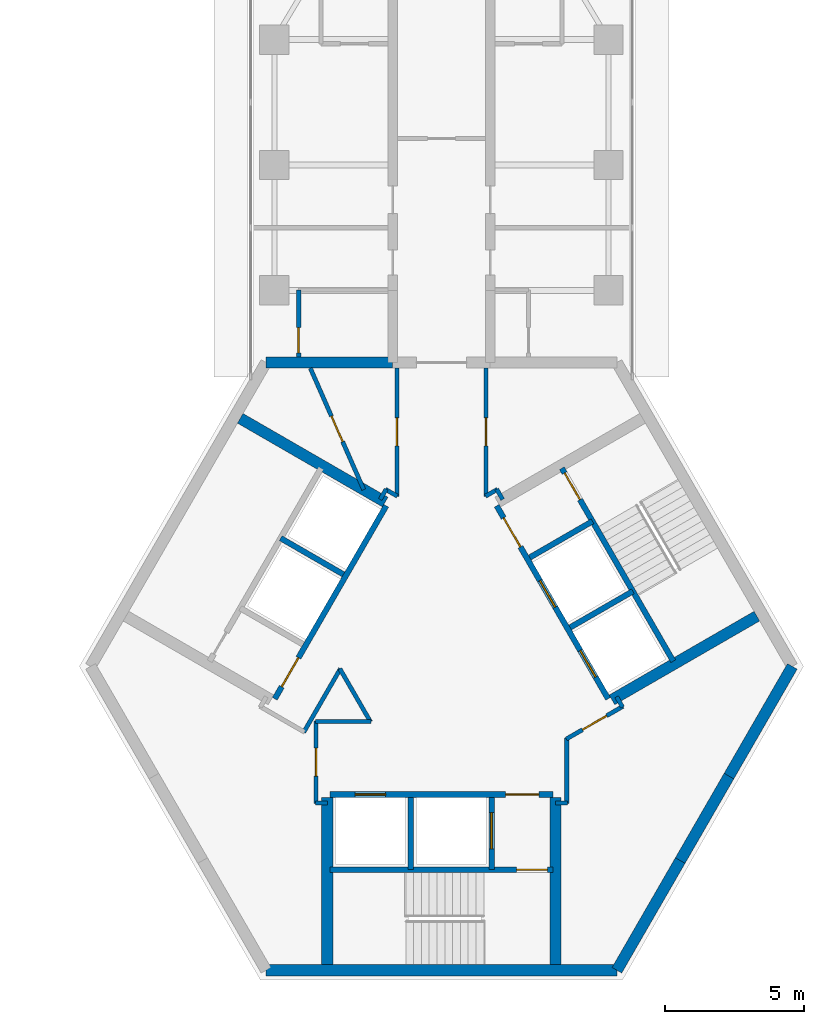
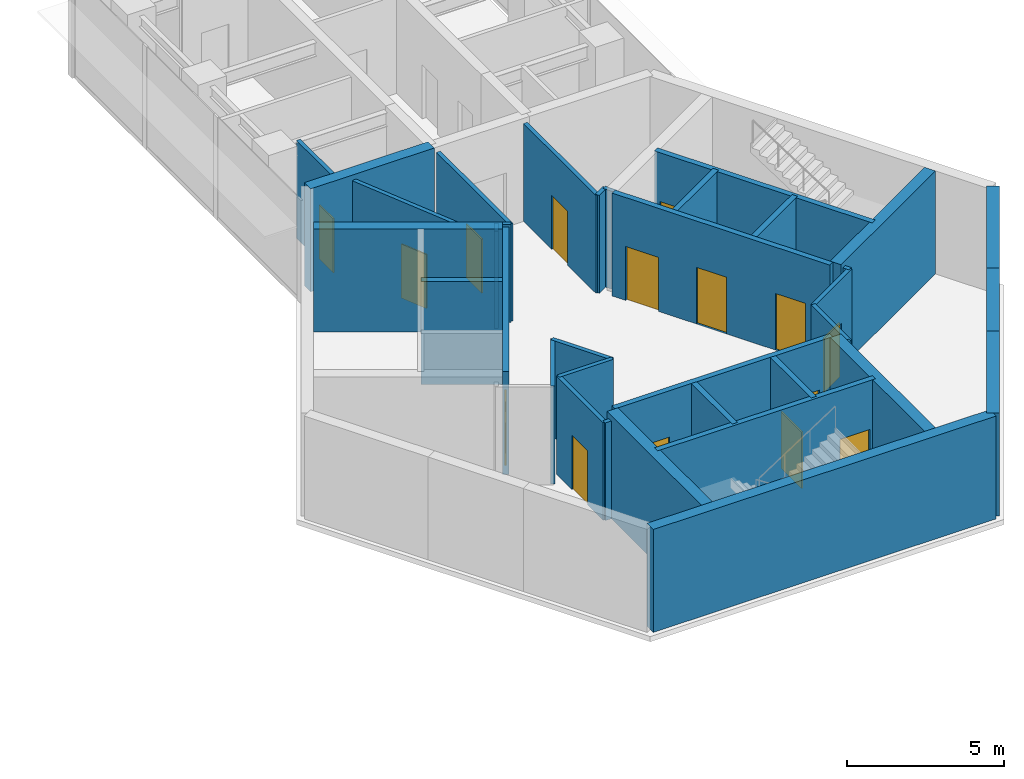
# One storey, part 8 of 11: 36 walls, 15 doors, 15 openings.
"""IFC4 building model written with IfcOpenShell, lengths in metres."""

from ifc_helpers import new_model, si_unit, direction, frame, frame_2d, origin, place, context, subcontext, project, spatial, rectangle, extrude, material, layer, layer_set, type_object, element, fill, save


model = new_model("IFC4")

# Units and contexts
model_context = context("Model", 3, precision=1e-05, world=origin(), true_north=direction((0.0, 1.0)))
body_context = subcontext(model_context, "Body", "Model", "MODEL_VIEW")
ifc_project = project(units=[si_unit("LENGTHUNIT", "METRE"), si_unit("AREAUNIT", "SQUARE_METRE"), si_unit("VOLUMEUNIT", "CUBIC_METRE"), si_unit("PLANEANGLEUNIT", "RADIAN"), si_unit("MASSUNIT", "GRAM", prefix="KILO")], contexts=[model_context])

# Site, building, storey
site_placement = place(None, origin())
site = spatial("IfcSite", under=ifc_project, at=site_placement, CompositionType="ELEMENT")
building_placement = place(site_placement, origin())
building = spatial("IfcBuilding", under=site, at=building_placement, Name="Upepo Twin Towers", CompositionType="ELEMENT")
storey_placement = place(building_placement, frame((0.0, 0.0, 247.5)))
storey = spatial("IfcBuildingStorey", under=building, at=storey_placement, Name="L60", CompositionType="ELEMENT", Elevation=247.5)

# Walls
ifc_material_1 = material(Name="Concrete C60/75", Category="concrete")
ifc_layer_1 = layer(ifc_material_1, 0.39990234375)
ifc_layer_set_1 = layer_set([ifc_layer_1], Name="Concrete C60/75")
wall_type_1 = type_object("IfcWallType", Name="Core wall 400 RC", PredefinedType="SHEAR", material=ifc_layer_set_1)
wall_1_placement = place(storey_placement, frame((56.75, -7.091552734375, 0.0), z_axis=(0.0, 0.0, 1.0), x_axis=(-1.0, 0.0, 0.0)))
element("IfcWall", 1, at=wall_1_placement, inside=storey, type_object=wall_type_1, Name="T2 core wall 000 L", PredefinedType="SHEAR", context=body_context, shape_type="SweptSolid", body=[
    extrude(rectangle(XDim=4.5478515625, YDim=0.39990234375, at=frame_2d((2.27392578125, 0.0))), origin(), (0.0, 0.0, 1.0), 4.0),
])
wall_2_placement = place(storey_placement, frame((52.2021484375, -28.908447265625, 0.0), z_axis=(0.0, 0.0, 1.0), x_axis=(1.0, 0.0, 0.0)))
element("IfcWall", 2, at=wall_2_placement, inside=storey, type_object=wall_type_1, Name="T2 core wall 180", PredefinedType="SHEAR", context=body_context, shape_type="SweptSolid", body=[
    extrude(rectangle(XDim=12.595703125, YDim=0.39990234375, at=frame_2d((6.2978515625, 0.0))), origin(), (0.0, 0.0, 1.0), 4.0),
])
wall_3_placement = place(storey_placement, frame((64.7978515625, -28.908447265625, 0.0), z_axis=(0.0, 0.0, 1.0), x_axis=(0.499984222037, 0.866034513004, 0.0)))
element("IfcWall", 3, at=wall_3_placement, inside=storey, type_object=wall_type_1, Name="T2 core wall 240 R", PredefinedType="SHEAR", context=body_context, shape_type="SweptSolid", body=[
    extrude(rectangle(XDim=4.548095703125, YDim=0.39990234375, at=frame_2d((2.27392578125, 0.0))), origin(), (0.0, 0.0, 1.0), 4.0),
])
wall_4_placement = place(storey_placement, frame((67.07177734375, -24.9697265625, 0.0), z_axis=(0.0, 0.0, 1.0), x_axis=(0.500010275428, 0.866019471182, 0.0)))
element("IfcWall", 4, at=wall_4_placement, inside=storey, type_object=wall_type_1, Name="T2 core wall 240", PredefinedType="SHEAR", context=body_context, shape_type="SweptSolid", body=[
    extrude(rectangle(XDim=3.5, YDim=0.39990234375, at=frame_2d((1.75, 0.0))), origin(), (0.0, 0.0, 1.0), 4.0),
])
wall_5_placement = place(storey_placement, frame((68.82177734375, -21.938720703125, 0.0), z_axis=(0.0, 0.0, 1.0), x_axis=(0.500024481964, 0.866011268655, 0.0)))
element("IfcWall", 5, at=wall_5_placement, inside=storey, type_object=wall_type_1, Name="T2 core wall 240 L", PredefinedType="SHEAR", context=body_context, shape_type="SweptSolid", body=[
    extrude(rectangle(XDim=4.548095703125, YDim=0.39990234375, at=frame_2d((2.27392578125, 0.0))), origin(), (0.0, 0.0, 1.0), 4.0),
])

# Wall, opening, door
ifc_material_2 = material(Name="Concrete C40/50", Category="concrete")
ifc_layer_2 = layer(ifc_material_2, 0.199951171875)
ifc_layer_set_2 = layer_set([ifc_layer_2], Name="Concrete C40/50")
wall_type_2 = type_object("IfcWallType", Name="Shaft wall 200 RC", PredefinedType="SHEAR", material=ifc_layer_set_2)
wall_6_placement = place(storey_placement, frame((56.516357421875, -12.23583984375, 0.0), z_axis=(0.0, 0.0, 1.0), x_axis=(-0.49999894854, -0.866026010844, 0.0)))
wall_6 = element("IfcWall", 6, at=wall_6_placement, inside=storey, type_object=wall_type_2, Name="T2 core W60 front wall", PredefinedType="SHEAR", context=body_context, shape_type="SweptSolid", body=[
    extrude(rectangle(XDim=8.0, YDim=0.199951171875, at=frame_2d((4.0, 0.0))), origin(), (0.0, 0.0, 1.0), 4.0),
])
opening_1_placement = place(wall_6_placement, frame((6.300048828125, 0.0, 0.0)))
opening_1 = element("IfcOpeningElement", 7, at=opening_1_placement, cuts=wall_6, Name="Opening D4", PredefinedType="OPENING", context=body_context, shape_type="SweptSolid", body=[
    extrude(rectangle(XDim=1.199951171875, YDim=2.10009765625, at=frame_2d((0.60009765625, 1.050048828125))), frame((0.0, 0.10986328125, 0.0), z_axis=(0.0, -1.0, 0.0), x_axis=(1.0, 0.0, 0.0)), (0.0, 0.0, 1.0), 0.219970703125),
])
ifc_material_3 = material(Name="Timber doorset", Category="wood")
door_type_1 = type_object("IfcDoorType", Name="Lobby door 1200 FD60", OperationType="SINGLE_SWING_LEFT", PredefinedType="DOOR", material=ifc_material_3)
door_1_placement = place(opening_1_placement, origin())
door_1 = element("IfcDoor", 8, at=door_1_placement, inside=storey, type_object=door_type_1, Name="T2 L60 W60 lobby door", OperationType="SINGLE_SWING_RIGHT", OverallHeight=2.10009765625, OverallWidth=1.199951171875, PredefinedType="DOOR", context=body_context, shape_type="SweptSolid", body=[
    extrude(rectangle(XDim=1.199951171875, YDim=2.10009765625, at=frame_2d((0.60009765625, 1.050048828125))), frame((0.0, 0.02490234375, 0.0), z_axis=(0.0, -1.0, 0.0), x_axis=(1.0, 0.0, 0.0)), (0.0, 0.0, 1.0), 0.050048828125),
])
fill(opening_1, door_1)

# Wall
wall_7_placement = place(storey_placement, frame((54.979736328125, -14.697265625, 0.0), z_axis=(0.0, 0.0, 1.0), x_axis=(-0.866062058628, 0.499936506574, 0.0)))
element("IfcWall", 9, at=wall_7_placement, inside=storey, type_object=wall_type_2, Name="T2 core W60 shaft divider", PredefinedType="SHEAR", context=body_context, shape_type="SweptSolid", body=[
    extrude(rectangle(XDim=2.599853515625, YDim=0.199951171875, at=frame_2d((1.2998046875, 0.0))), origin(), (0.0, 0.0, 1.0), 4.0),
])

# Wall, openings, doors
wall_8_placement = place(storey_placement, frame((54.5, -22.60009765625, 0.0), z_axis=(0.0, 0.0, 1.0), x_axis=(1.0, 0.0, 0.0)))
wall_8 = element("IfcWall", 10, at=wall_8_placement, inside=storey, type_object=wall_type_2, Name="T2 core W180 front wall", PredefinedType="SHEAR", context=body_context, shape_type="SweptSolid", body=[
    extrude(rectangle(XDim=8.0, YDim=0.199951171875, at=frame_2d((4.0, 0.0))), origin(), (0.0, 0.0, 1.0), 4.0),
])
opening_2_placement = place(wall_8_placement, frame((6.300048828125, 0.0, 0.0)))
opening_2 = element("IfcOpeningElement", 11, at=opening_2_placement, cuts=wall_8, Name="Opening D4", PredefinedType="OPENING", context=body_context, shape_type="SweptSolid", body=[
    extrude(rectangle(XDim=1.199951171875, YDim=2.10009765625, at=frame_2d((0.60009765625, 1.050048828125))), frame((0.0, 0.10986328125, 0.0), z_axis=(0.0, -1.0, 0.0), x_axis=(1.0, 0.0, 0.0)), (0.0, 0.0, 1.0), 0.219970703125),
])
opening_3_placement = place(wall_8_placement, frame((0.89990234375, 0.0, 0.0)))
opening_3 = element("IfcOpeningElement", 12, at=opening_3_placement, cuts=wall_8, Name="Opening LD1", PredefinedType="OPENING", context=body_context, shape_type="SweptSolid", body=[
    extrude(rectangle(XDim=1.10009765625, YDim=2.199951171875, at=frame_2d((0.550048828125, 1.10009765625))), frame((0.0, 0.10986328125, 0.0), z_axis=(0.0, -1.0, 0.0), x_axis=(1.0, 0.0, 0.0)), (0.0, 0.0, 1.0), 0.219970703125),
])
ifc_material_4 = material(Name="Steel doorset", Category="steel")
door_type_2 = type_object("IfcDoorType", Name="Lift landing door 1100", OperationType="DOUBLE_DOOR_SLIDING", PredefinedType="DOOR", material=ifc_material_4)
door_2_placement = place(opening_3_placement, origin())
door_2 = element("IfcDoor", 13, at=door_2_placement, inside=storey, type_object=door_type_2, Name="T2 L60 lift SV1 landing door", OperationType="DOUBLE_DOOR_SLIDING", OverallHeight=2.199951171875, OverallWidth=1.10009765625, PredefinedType="DOOR", context=body_context, shape_type="SweptSolid", body=[
    extrude(rectangle(XDim=1.10009765625, YDim=2.199951171875, at=frame_2d((0.550048828125, 1.10009765625))), frame((0.0, 0.02490234375, 0.0), z_axis=(0.0, -1.0, 0.0), x_axis=(1.0, 0.0, 0.0)), (0.0, 0.0, 1.0), 0.050048828125),
])
fill(opening_3, door_2)
door_3_placement = place(opening_2_placement, origin())
door_3 = element("IfcDoor", 14, at=door_3_placement, inside=storey, type_object=door_type_1, Name="T2 L60 W180 lobby door", OperationType="SINGLE_SWING_RIGHT", OverallHeight=2.10009765625, OverallWidth=1.199951171875, PredefinedType="DOOR", context=body_context, shape_type="SweptSolid", body=[
    extrude(rectangle(XDim=1.199951171875, YDim=2.10009765625, at=frame_2d((0.60009765625, 1.050048828125))), frame((0.0, 0.02490234375, 0.0), z_axis=(0.0, -1.0, 0.0), x_axis=(1.0, 0.0, 0.0)), (0.0, 0.0, 1.0), 0.050048828125),
])
fill(opening_2, door_3)

# Wall
wall_9_placement = place(storey_placement, frame((57.39990234375, -22.699951171875, 0.0), z_axis=(0.0, 0.0, 1.0), x_axis=(0.0, -1.0, 0.0)))
element("IfcWall", 15, at=wall_9_placement, inside=storey, type_object=wall_type_2, Name="T2 core W180 shaft divider", PredefinedType="SHEAR", context=body_context, shape_type="SweptSolid", body=[
    extrude(rectangle(XDim=2.60009765625, YDim=0.199951171875, at=frame_2d((1.300048828125, 0.0))), origin(), (0.0, 0.0, 1.0), 4.0),
])

# Wall, opening, door
wall_10_placement = place(storey_placement, frame((60.300048828125, -22.699951171875, 0.0), z_axis=(0.0, 0.0, 1.0), x_axis=(0.0, -1.0, 0.0)))
wall_10 = element("IfcWall", 16, at=wall_10_placement, inside=storey, type_object=wall_type_2, Name="T2 core W180 lobby wall", PredefinedType="SHEAR", context=body_context, shape_type="SweptSolid", body=[
    extrude(rectangle(XDim=2.60009765625, YDim=0.199951171875, at=frame_2d((1.300048828125, 0.0))), origin(), (0.0, 0.0, 1.0), 4.0),
])
opening_4_placement = place(wall_10_placement, frame((0.550048828125, 0.0, 0.0)))
opening_4 = element("IfcOpeningElement", 17, at=opening_4_placement, cuts=wall_10, Name="Opening LD2", PredefinedType="OPENING", context=body_context, shape_type="SweptSolid", body=[
    extrude(rectangle(XDim=1.300048828125, YDim=2.199951171875, at=frame_2d((0.64990234375, 1.10009765625))), frame((0.0, 0.10986328125, 0.0), z_axis=(0.0, -1.0, 0.0), x_axis=(1.0, 0.0, 0.0)), (0.0, 0.0, 1.0), 0.219970703125),
])
ifc_material_5 = material(Name="Steel doorset", Category="steel")
door_type_3 = type_object("IfcDoorType", Name="Firefighting lift landing door 1300", OperationType="DOUBLE_DOOR_SLIDING", PredefinedType="DOOR", material=ifc_material_5)
door_4_placement = place(opening_4_placement, origin())
door_4 = element("IfcDoor", 18, at=door_4_placement, inside=storey, type_object=door_type_3, Name="T2 L60 firefighting lift landing door", OperationType="DOUBLE_DOOR_SLIDING", OverallHeight=2.199951171875, OverallWidth=1.300048828125, PredefinedType="DOOR", context=body_context, shape_type="SweptSolid", body=[
    extrude(rectangle(XDim=1.300048828125, YDim=2.199951171875, at=frame_2d((0.64990234375, 1.10009765625))), frame((0.0, 0.02490234375, 0.0), z_axis=(0.0, -1.0, 0.0), x_axis=(1.0, 0.0, 0.0)), (0.0, 0.0, 1.0), 0.050048828125),
])
fill(opening_4, door_4)

wall_11_placement = place(storey_placement, frame((54.5, -25.300048828125, 0.0), z_axis=(0.0, 0.0, 1.0), x_axis=(1.0, 0.0, 0.0)))
wall_11 = element("IfcWall", 19, at=wall_11_placement, inside=storey, type_object=wall_type_2, Name="T2 core W180 stair wall", PredefinedType="SHEAR", context=body_context, shape_type="SweptSolid", body=[
    extrude(rectangle(XDim=8.0, YDim=0.199951171875, at=frame_2d((4.0, 0.0))), origin(), (0.0, 0.0, 1.0), 4.0),
])
opening_5_placement = place(wall_11_placement, frame((6.699951171875, 0.0, 0.0)))
opening_5 = element("IfcOpeningElement", 20, at=opening_5_placement, cuts=wall_11, Name="Opening D3", PredefinedType="OPENING", context=body_context, shape_type="SweptSolid", body=[
    extrude(rectangle(XDim=1.10009765625, YDim=2.10009765625, at=frame_2d((0.550048828125, 1.050048828125))), frame((0.0, 0.10986328125, 0.0), z_axis=(0.0, -1.0, 0.0), x_axis=(1.0, 0.0, 0.0)), (0.0, 0.0, 1.0), 0.219970703125),
])
ifc_material_6 = material(Name="Timber doorset", Category="wood")
door_type_4 = type_object("IfcDoorType", Name="Stair door 1100 FD60", OperationType="SINGLE_SWING_LEFT", PredefinedType="DOOR", material=ifc_material_6)
door_5_placement = place(opening_5_placement, origin())
door_5 = element("IfcDoor", 21, at=door_5_placement, inside=storey, type_object=door_type_4, Name="T2 L60 stair door", OperationType="SINGLE_SWING_RIGHT", OverallHeight=2.10009765625, OverallWidth=1.10009765625, PredefinedType="DOOR", context=body_context, shape_type="SweptSolid", body=[
    extrude(rectangle(XDim=1.10009765625, YDim=2.10009765625, at=frame_2d((0.550048828125, 1.050048828125))), frame((0.0, 0.02490234375, 0.0), z_axis=(0.0, -1.0, 0.0), x_axis=(1.0, 0.0, 0.0)), (0.0, 0.0, 1.0), 0.050048828125),
])
fill(opening_5, door_5)

# Wall, openings, doors
wall_12_placement = place(storey_placement, frame((64.483642578125, -19.1640625, 0.0), z_axis=(0.0, 0.0, 1.0), x_axis=(-0.49999894854, 0.866026010844, 0.0)))
wall_12 = element("IfcWall", 22, at=wall_12_placement, inside=storey, type_object=wall_type_2, Name="T2 core W300 front wall", PredefinedType="SHEAR", context=body_context, shape_type="SweptSolid", body=[
    extrude(rectangle(XDim=8.0, YDim=0.199951171875, at=frame_2d((4.0, 0.0))), origin(), (0.0, 0.0, 1.0), 4.0),
])
opening_6_placement = place(wall_12_placement, frame((6.300048828125, 0.0, 0.0)))
opening_6 = element("IfcOpeningElement", 23, at=opening_6_placement, cuts=wall_12, Name="Opening D4", PredefinedType="OPENING", context=body_context, shape_type="SweptSolid", body=[
    extrude(rectangle(XDim=1.199951171875, YDim=2.10009765625, at=frame_2d((0.60009765625, 1.050048828125))), frame((0.0, 0.10986328125, 0.0), z_axis=(0.0, -1.0, 0.0), x_axis=(1.0, 0.0, 0.0)), (0.0, 0.0, 1.0), 0.219970703125),
])
opening_7_placement = place(wall_12_placement, frame((0.89990234375, 0.0, 0.0)))
opening_7 = element("IfcOpeningElement", 24, at=opening_7_placement, cuts=wall_12, Name="Opening LD1", PredefinedType="OPENING", context=body_context, shape_type="SweptSolid", body=[
    extrude(rectangle(XDim=1.10009765625, YDim=2.199951171875, at=frame_2d((0.550048828125, 1.10009765625))), frame((0.0, 0.10986328125, 0.0), z_axis=(0.0, -1.0, 0.0), x_axis=(1.0, 0.0, 0.0)), (0.0, 0.0, 1.0), 0.219970703125),
])
opening_8_placement = place(wall_12_placement, frame((3.800048828125, 0.0, 0.0)))
opening_8 = element("IfcOpeningElement", 25, at=opening_8_placement, cuts=wall_12, Name="Opening LD1", PredefinedType="OPENING", context=body_context, shape_type="SweptSolid", body=[
    extrude(rectangle(XDim=1.10009765625, YDim=2.199951171875, at=frame_2d((0.550048828125, 1.10009765625))), frame((0.0, 0.10986328125, 0.0), z_axis=(0.0, -1.0, 0.0), x_axis=(1.0, 0.0, 0.0)), (0.0, 0.0, 1.0), 0.219970703125),
])
door_6_placement = place(opening_7_placement, origin())
door_6 = element("IfcDoor", 26, at=door_6_placement, inside=storey, type_object=door_type_2, Name="T2 L60 lift TL1 landing door", OperationType="DOUBLE_DOOR_SLIDING", OverallHeight=2.199951171875, OverallWidth=1.10009765625, PredefinedType="DOOR", context=body_context, shape_type="SweptSolid", body=[
    extrude(rectangle(XDim=1.10009765625, YDim=2.199951171875, at=frame_2d((0.550048828125, 1.10009765625))), frame((0.0, 0.02490234375, 0.0), z_axis=(0.0, -1.0, 0.0), x_axis=(1.0, 0.0, 0.0)), (0.0, 0.0, 1.0), 0.050048828125),
])
fill(opening_7, door_6)
door_7_placement = place(opening_8_placement, origin())
door_7 = element("IfcDoor", 27, at=door_7_placement, inside=storey, type_object=door_type_2, Name="T2 L60 lift TL2 landing door", OperationType="DOUBLE_DOOR_SLIDING", OverallHeight=2.199951171875, OverallWidth=1.10009765625, PredefinedType="DOOR", context=body_context, shape_type="SweptSolid", body=[
    extrude(rectangle(XDim=1.10009765625, YDim=2.199951171875, at=frame_2d((0.550048828125, 1.10009765625))), frame((0.0, 0.02490234375, 0.0), z_axis=(0.0, -1.0, 0.0), x_axis=(1.0, 0.0, 0.0)), (0.0, 0.0, 1.0), 0.050048828125),
])
fill(opening_8, door_7)
door_8_placement = place(opening_6_placement, origin())
door_8 = element("IfcDoor", 28, at=door_8_placement, inside=storey, type_object=door_type_1, Name="T2 L60 W300 lobby door", OperationType="SINGLE_SWING_RIGHT", OverallHeight=2.10009765625, OverallWidth=1.199951171875, PredefinedType="DOOR", context=body_context, shape_type="SweptSolid", body=[
    extrude(rectangle(XDim=1.199951171875, YDim=2.10009765625, at=frame_2d((0.60009765625, 1.050048828125))), frame((0.0, 0.02490234375, 0.0), z_axis=(0.0, -1.0, 0.0), x_axis=(1.0, 0.0, 0.0)), (0.0, 0.0, 1.0), 0.050048828125),
])
fill(opening_6, door_8)

# Walls
wall_13_placement = place(storey_placement, frame((63.120361328125, -16.6025390625, 0.0), z_axis=(0.0, 0.0, 1.0), x_axis=(0.866062058628, 0.499936506574, 0.0)))
element("IfcWall", 29, at=wall_13_placement, inside=storey, type_object=wall_type_2, Name="T2 core W300 shaft divider", PredefinedType="SHEAR", context=body_context, shape_type="SweptSolid", body=[
    extrude(rectangle(XDim=2.599853515625, YDim=0.199951171875, at=frame_2d((1.2998046875, 0.0))), origin(), (0.0, 0.0, 1.0), 4.0),
])
wall_14_placement = place(storey_placement, frame((61.67041015625, -14.091064453125, 0.0), z_axis=(0.0, 0.0, 1.0), x_axis=(0.86603858612, 0.49997716683, 0.0)))
element("IfcWall", 30, at=wall_14_placement, inside=storey, type_object=wall_type_2, Name="T2 core W300 lobby wall", PredefinedType="SHEAR", context=body_context, shape_type="SweptSolid", body=[
    extrude(rectangle(XDim=2.599609375, YDim=0.199951171875, at=frame_2d((1.2998046875, 0.0))), origin(), (0.0, 0.0, 1.0), 4.0),
])

# Wall, opening, door
wall_15_placement = place(storey_placement, frame((66.822021484375, -17.814208984375, 0.0), z_axis=(0.0, 0.0, 1.0), x_axis=(-0.49999894854, 0.866026010844, 0.0)))
wall_15 = element("IfcWall", 31, at=wall_15_placement, inside=storey, type_object=wall_type_2, Name="T2 core W300 stair wall", PredefinedType="SHEAR", context=body_context, shape_type="SweptSolid", body=[
    extrude(rectangle(XDim=8.0, YDim=0.199951171875, at=frame_2d((4.0, 0.0))), origin(), (0.0, 0.0, 1.0), 4.0),
])
opening_9_placement = place(wall_15_placement, frame((6.699951171875, 0.0, 0.0)))
opening_9 = element("IfcOpeningElement", 32, at=opening_9_placement, cuts=wall_15, Name="Opening D3", PredefinedType="OPENING", context=body_context, shape_type="SweptSolid", body=[
    extrude(rectangle(XDim=1.10009765625, YDim=2.10009765625, at=frame_2d((0.550048828125, 1.050048828125))), frame((0.0, 0.10986328125, 0.0), z_axis=(0.0, -1.0, 0.0), x_axis=(1.0, 0.0, 0.0)), (0.0, 0.0, 1.0), 0.219970703125),
])
door_9_placement = place(opening_9_placement, origin())
door_9 = element("IfcDoor", 33, at=door_9_placement, inside=storey, type_object=door_type_4, Name="T2 L60 stair door", OperationType="SINGLE_SWING_RIGHT", OverallHeight=2.10009765625, OverallWidth=1.10009765625, PredefinedType="DOOR", context=body_context, shape_type="SweptSolid", body=[
    extrude(rectangle(XDim=1.10009765625, YDim=2.10009765625, at=frame_2d((0.550048828125, 1.050048828125))), frame((0.0, 0.02490234375, 0.0), z_axis=(0.0, -1.0, 0.0), x_axis=(1.0, 0.0, 0.0)), (0.0, 0.0, 1.0), 0.050048828125),
])
fill(opening_9, door_9)

# Walls
ifc_material_7 = material(Name="Concrete C40/50", Category="concrete")
ifc_layer_3 = layer(ifc_material_7, 0.39990234375)
ifc_layer_set_3 = layer_set([ifc_layer_3], Name="Concrete C40/50")
wall_type_3 = type_object("IfcWallType", Name="Shaft wall 400 RC", PredefinedType="SHEAR", material=ifc_layer_set_3)
for number, where, z_axis, x_axis, name in (
    (34, (56.479736328125, -12.099365234375, 0.0), (0.0, 0.0, 1.0), (-0.866026570101, 0.499997979876, 0.0), "T2 core W60 side wall S"),
    (35, (62.60009765625, -22.699951171875, 0.0), (0.0, 0.0, 1.0), (0.0, -1.0, 0.0), "T2 core W180 side wall N"),
    (36, (54.39990234375, -22.699951171875, 0.0), (0.0, 0.0, 1.0), (0.0, -1.0, 0.0), "T2 core W180 side wall S"),
    (37, (64.620361328125, -19.20068359375, 0.0), (0.0, 0.0, 1.0), (0.866026570101, 0.499997979876, 0.0), "T2 core W300 side wall S"),
):
    element("IfcWall", number, at=place(storey_placement, frame(where, z_axis=z_axis, x_axis=x_axis)), inside=storey, type_object=wall_type_3, Name=name, PredefinedType="SHEAR", context=body_context, shape_type="SweptSolid", body=[
        extrude(rectangle(XDim=6.00830078125, YDim=0.39990234375, at=frame_2d((3.004150390625, 0.0))), origin(), (0.0, 0.0, 1.0), 4.0),
    ])

# Wall, opening, door
ifc_material_8 = material(Name="Gypsum board on steel studs", Category="steel")
ifc_layer_4 = layer(ifc_material_8, 0.14990234375)
ifc_layer_set_4 = layer_set([ifc_layer_4], Name="Teaching partition 150 acoustic")
wall_type_4 = type_object("IfcWallType", Name="Teaching partition 150 acoustic", PredefinedType="PARTITIONING", material=ifc_layer_set_4)
wall_16_placement = place(storey_placement, frame((53.375, -6.89208984375, 0.0), z_axis=(0.0, 0.0, 1.0), x_axis=(0.0, 1.0, 0.0)))
wall_16 = element("IfcWall", 38, at=wall_16_placement, inside=storey, type_object=wall_type_4, Name="T2 WC bay partition AL at 11.11", PredefinedType="PARTITIONING", context=body_context, shape_type="SweptSolid", body=[
    extrude(rectangle(XDim=2.400146484375, YDim=0.14990234375, at=frame_2d((1.2001953125, 0.0))), origin(), (0.0, 0.0, 1.0), 3.800048828125),
])
opening_10_placement = place(wall_16_placement, frame((0.14990234375, 0.0, 0.0)))
opening_10 = element("IfcOpeningElement", 39, at=opening_10_placement, cuts=wall_16, Name="Opening D14", PredefinedType="OPENING", context=body_context, shape_type="SweptSolid", body=[
    extrude(rectangle(XDim=0.89990234375, YDim=2.10009765625, at=frame_2d((0.449951171875, 1.050048828125))), frame((0.0, 0.0849609375, 0.0), z_axis=(0.0, -1.0, 0.0), x_axis=(1.0, 0.0, 0.0)), (0.0, 0.0, 1.0), 0.169921875),
])
ifc_material_9 = material(Name="Timber doorset", Category="wood")
door_type_5 = type_object("IfcDoorType", Name="Office door 900 FD30", OperationType="SINGLE_SWING_LEFT", PredefinedType="DOOR", material=ifc_material_9)
door_10_placement = place(opening_10_placement, origin())
door_10 = element("IfcDoor", 40, at=door_10_placement, inside=storey, type_object=door_type_5, Name="T2 L60 WC bay inner room door", OperationType="SINGLE_SWING_LEFT", OverallHeight=2.10009765625, OverallWidth=0.89990234375, PredefinedType="DOOR", context=body_context, shape_type="SweptSolid", body=[
    extrude(rectangle(XDim=0.89990234375, YDim=2.10009765625, at=frame_2d((0.449951171875, 1.050048828125))), frame((0.0, 0.02490234375, 0.0), z_axis=(0.0, -1.0, 0.0), x_axis=(1.0, 0.0, 0.0)), (0.0, 0.0, 1.0), 0.050048828125),
])
fill(opening_10, door_10)

# Walls
for number, where, z_axis, x_axis, name in (
    (41, (63.02001953125, -22.89990234375, 0.0), (0.0, 0.0, 1.0), (-1.0, 0.0, 0.0), "T2 core room partition 1"),
    (42, (54.409912109375, -22.89990234375, 0.0), (0.0, 0.0, 1.0), (-1.0, 0.0, 0.0), "T2 core room partition 2"),
):
    element("IfcWall", number, at=place(storey_placement, frame(where, z_axis=z_axis, x_axis=x_axis)), inside=storey, type_object=wall_type_4, Name=name, PredefinedType="PARTITIONING", context=body_context, shape_type="SweptSolid", body=[
        extrude(rectangle(XDim=0.429931640625, YDim=0.14990234375, at=frame_2d((0.21484375, 0.0))), origin(), (0.0, 0.0, 1.0), 3.800048828125),
    ])

# Wall, opening, door
wall_17_placement = place(storey_placement, frame((54.0, -22.919921875, 0.0), z_axis=(0.0, 0.0, 1.0), x_axis=(0.0, 1.0, 0.0)))
wall_17 = element("IfcWall", 43, at=wall_17_placement, inside=storey, type_object=wall_type_4, Name="T2 core room partition 3", PredefinedType="PARTITIONING", context=body_context, shape_type="SweptSolid", body=[
    extrude(rectangle(XDim=2.96484375, YDim=0.14990234375, at=frame_2d((1.482421875, 0.0))), origin(), (0.0, 0.0, 1.0), 3.800048828125),
])
opening_11_placement = place(wall_17_placement, frame((0.982421875, 0.0, 0.0)))
opening_11 = element("IfcOpeningElement", 44, at=opening_11_placement, cuts=wall_17, Name="Opening D1", PredefinedType="OPENING", context=body_context, shape_type="SweptSolid", body=[
    extrude(rectangle(XDim=1.0, YDim=2.10009765625, at=frame_2d((0.5, 1.050048828125))), frame((0.0, 0.0849609375, 0.0), z_axis=(0.0, -1.0, 0.0), x_axis=(1.0, 0.0, 0.0)), (0.0, 0.0, 1.0), 0.169921875),
])
ifc_material_10 = material(Name="Timber doorset", Category="wood")
door_type_6 = type_object("IfcDoorType", Name="Room door 1000 FD30", OperationType="SINGLE_SWING_LEFT", PredefinedType="DOOR", material=ifc_material_10)
door_11_placement = place(opening_11_placement, origin())
door_11 = element("IfcDoor", 45, at=door_11_placement, inside=storey, type_object=door_type_6, Name="T2 L60 core room door K1", OperationType="SINGLE_SWING_RIGHT", OverallHeight=2.10009765625, OverallWidth=1.0, PredefinedType="DOOR", context=body_context, shape_type="SweptSolid", body=[
    extrude(rectangle(XDim=1.0, YDim=2.10009765625, at=frame_2d((0.5, 1.050048828125))), frame((0.0, 0.02490234375, 0.0), z_axis=(0.0, -1.0, 0.0), x_axis=(1.0, 0.0, 0.0)), (0.0, 0.0, 1.0), 0.050048828125),
])
fill(opening_11, door_11)

# Walls
wall_18_placement = place(storey_placement, frame((53.97998046875, -19.97509765625, 0.0), z_axis=(0.0, 0.0, 1.0), x_axis=(1.0, 0.0, 0.0)))
element("IfcWall", 46, at=wall_18_placement, inside=storey, type_object=wall_type_4, Name="T2 core room partition 4", PredefinedType="PARTITIONING", context=body_context, shape_type="SweptSolid", body=[
    extrude(rectangle(XDim=1.985107421875, YDim=0.14990234375, at=frame_2d((0.99267578125, 0.0))), origin(), (0.0, 0.0, 1.0), 3.800048828125),
])
wall_19_placement = place(storey_placement, frame((55.955078125, -19.992431640625, 0.0), z_axis=(0.0, 0.0, 1.0), x_axis=(-0.499914148034, 0.866074964767, 0.0)))
element("IfcWall", 47, at=wall_19_placement, inside=storey, type_object=wall_type_4, Name="T2 core room partition 5", PredefinedType="PARTITIONING", context=body_context, shape_type="SweptSolid", body=[
    extrude(rectangle(XDim=2.205078125, YDim=0.14990234375, at=frame_2d((1.1025390625, 0.0))), origin(), (0.0, 0.0, 1.0), 3.800048828125),
])
wall_20_placement = place(storey_placement, frame((54.872802734375, -18.082763671875, 0.0), z_axis=(0.0, 0.0, 1.0), x_axis=(-0.500005864412, -0.866022017938, 0.0)))
element("IfcWall", 48, at=wall_20_placement, inside=storey, type_object=wall_type_4, Name="T2 core room partition 6", PredefinedType="PARTITIONING", context=body_context, shape_type="SweptSolid", body=[
    extrude(rectangle(XDim=2.634765625, YDim=0.14990234375, at=frame_2d((1.3173828125, 0.0))), origin(), (0.0, 0.0, 1.0), 3.800048828125),
])
wall_21_placement = place(storey_placement, frame((56.301513671875, -12.0078125, 0.0), z_axis=(0.0, 0.0, 1.0), x_axis=(0.500230298122, 0.865892400268, 0.0)))
element("IfcWall", 49, at=wall_21_placement, inside=storey, type_object=wall_type_4, Name="T2 core room partition 9", PredefinedType="PARTITIONING", context=body_context, shape_type="SweptSolid", body=[
    extrude(rectangle(XDim=0.429931640625, YDim=0.14990234375, at=frame_2d((0.21484375, 0.0))), origin(), (0.0, 0.0, 1.0), 3.800048828125),
])
wall_22_placement = place(storey_placement, frame((56.4892578125, -11.642822265625, 0.0), z_axis=(0.0, 0.0, 1.0), x_axis=(0.865831790172, -0.50033519877, 0.0)))
element("IfcWall", 50, at=wall_22_placement, inside=storey, type_object=wall_type_4, Name="T2 core room partition 10", PredefinedType="PARTITIONING", context=body_context, shape_type="SweptSolid", body=[
    extrude(rectangle(XDim=0.494384765625, YDim=0.14990234375, at=frame_2d((0.2470703125, 0.0))), origin(), (0.0, 0.0, 1.0), 3.800048828125),
])

# Wall, opening, door
wall_23_placement = place(storey_placement, frame((56.89990234375, -11.900146484375, 0.0), z_axis=(0.0, 0.0, 1.0), x_axis=(0.0, 1.0, 0.0)))
wall_23 = element("IfcWall", 51, at=wall_23_placement, inside=storey, type_object=wall_type_4, Name="T2 core room partition 11", PredefinedType="PARTITIONING", context=body_context, shape_type="SweptSolid", body=[
    extrude(rectangle(XDim=4.618408203125, YDim=0.14990234375, at=frame_2d((2.30908203125, 0.0))), origin(), (0.0, 0.0, 1.0), 3.800048828125),
])
opening_12_placement = place(wall_23_placement, frame((1.8193359375, 0.0, 0.0)))
opening_12 = element("IfcOpeningElement", 52, at=opening_12_placement, cuts=wall_23, Name="Opening D1", PredefinedType="OPENING", context=body_context, shape_type="SweptSolid", body=[
    extrude(rectangle(XDim=1.0, YDim=2.10009765625, at=frame_2d((0.5, 1.050048828125))), frame((0.0, 0.0849609375, 0.0), z_axis=(0.0, -1.0, 0.0), x_axis=(1.0, 0.0, 0.0)), (0.0, 0.0, 1.0), 0.169921875),
])
door_12_placement = place(opening_12_placement, origin())
door_12 = element("IfcDoor", 53, at=door_12_placement, inside=storey, type_object=door_type_6, Name="T2 L60 core room door K5", OperationType="SINGLE_SWING_RIGHT", OverallHeight=2.10009765625, OverallWidth=1.0, PredefinedType="DOOR", context=body_context, shape_type="SweptSolid", body=[
    extrude(rectangle(XDim=1.0, YDim=2.10009765625, at=frame_2d((0.5, 1.050048828125))), frame((0.0, 0.02490234375, 0.0), z_axis=(0.0, -1.0, 0.0), x_axis=(1.0, 0.0, 0.0)), (0.0, 0.0, 1.0), 0.050048828125),
])
fill(opening_12, door_12)

wall_24_placement = place(storey_placement, frame((60.10009765625, -7.28173828125, 0.0), z_axis=(0.0, 0.0, 1.0), x_axis=(0.0, -1.0, 0.0)))
wall_24 = element("IfcWall", 54, at=wall_24_placement, inside=storey, type_object=wall_type_4, Name="T2 core room partition 12", PredefinedType="PARTITIONING", context=body_context, shape_type="SweptSolid", body=[
    extrude(rectangle(XDim=4.618408203125, YDim=0.14990234375, at=frame_2d((2.30908203125, 0.0))), origin(), (0.0, 0.0, 1.0), 3.800048828125),
])
opening_13_placement = place(wall_24_placement, frame((1.799072265625, 0.0, 0.0)))
opening_13 = element("IfcOpeningElement", 55, at=opening_13_placement, cuts=wall_24, Name="Opening D1", PredefinedType="OPENING", context=body_context, shape_type="SweptSolid", body=[
    extrude(rectangle(XDim=1.0, YDim=2.10009765625, at=frame_2d((0.5, 1.050048828125))), frame((0.0, 0.0849609375, 0.0), z_axis=(0.0, -1.0, 0.0), x_axis=(1.0, 0.0, 0.0)), (0.0, 0.0, 1.0), 0.169921875),
])
door_13_placement = place(opening_13_placement, origin())
door_13 = element("IfcDoor", 56, at=door_13_placement, inside=storey, type_object=door_type_6, Name="T2 L60 core room door K3", OperationType="SINGLE_SWING_LEFT", OverallHeight=2.10009765625, OverallWidth=1.0, PredefinedType="DOOR", context=body_context, shape_type="SweptSolid", body=[
    extrude(rectangle(XDim=1.0, YDim=2.10009765625, at=frame_2d((0.5, 1.050048828125))), frame((0.0, 0.02490234375, 0.0), z_axis=(0.0, -1.0, 0.0), x_axis=(1.0, 0.0, 0.0)), (0.0, 0.0, 1.0), 0.050048828125),
])
fill(opening_13, door_13)

# Walls
wall_25_placement = place(storey_placement, frame((60.082763671875, -11.89013671875, 0.0), z_axis=(0.0, 0.0, 1.0), x_axis=(0.865831790172, 0.50033519877, 0.0)))
element("IfcWall", 57, at=wall_25_placement, inside=storey, type_object=wall_type_4, Name="T2 core room partition 13", PredefinedType="PARTITIONING", context=body_context, shape_type="SweptSolid", body=[
    extrude(rectangle(XDim=0.494384765625, YDim=0.14990234375, at=frame_2d((0.2470703125, 0.0))), origin(), (0.0, 0.0, 1.0), 3.800048828125),
])
for number, where, z_axis, x_axis, name in (
    (58, (60.4833984375, -11.635498046875, 0.0), (0.0, 0.0, 1.0), (0.500230298122, -0.865892400268, 0.0), "T2 core room partition 14"),
    (59, (64.78857421875, -19.092041015625, 0.0), (0.0, 0.0, 1.0), (0.499804398801, -0.866138304741, 0.0), "T2 core room partition 15"),
):
    element("IfcWall", number, at=place(storey_placement, frame(where, z_axis=z_axis, x_axis=x_axis)), inside=storey, type_object=wall_type_4, Name=name, PredefinedType="PARTITIONING", context=body_context, shape_type="SweptSolid", body=[
        extrude(rectangle(XDim=0.429931640625, YDim=0.14990234375, at=frame_2d((0.21484375, 0.0))), origin(), (0.0, 0.0, 1.0), 3.800048828125),
    ])

# Wall, opening, door
wall_26_placement = place(storey_placement, frame((65.0107421875, -19.43701171875, 0.0), z_axis=(0.0, 0.0, 1.0), x_axis=(-0.865982457891, -0.500074377092, 0.0)))
wall_26 = element("IfcWall", 60, at=wall_26_placement, inside=storey, type_object=wall_type_4, Name="T2 core room partition 16", PredefinedType="PARTITIONING", context=body_context, shape_type="SweptSolid", body=[
    extrude(rectangle(XDim=2.342041015625, YDim=0.14990234375, at=frame_2d((1.1708984375, 0.0))), origin(), (0.0, 0.0, 1.0), 3.800048828125),
])
opening_14_placement = place(wall_26_placement, frame((0.6708984375, 0.0, 0.0)))
opening_14 = element("IfcOpeningElement", 61, at=opening_14_placement, cuts=wall_26, Name="Opening D1", PredefinedType="OPENING", context=body_context, shape_type="SweptSolid", body=[
    extrude(rectangle(XDim=1.0, YDim=2.10009765625, at=frame_2d((0.5, 1.050048828125))), frame((0.0, 0.0849609375, 0.0), z_axis=(0.0, -1.0, 0.0), x_axis=(1.0, 0.0, 0.0)), (0.0, 0.0, 1.0), 0.169921875),
])
door_14_placement = place(opening_14_placement, origin())
door_14 = element("IfcDoor", 62, at=door_14_placement, inside=storey, type_object=door_type_6, Name="T2 L60 core room door K2", OperationType="SINGLE_SWING_RIGHT", OverallHeight=2.10009765625, OverallWidth=1.0, PredefinedType="DOOR", context=body_context, shape_type="SweptSolid", body=[
    extrude(rectangle(XDim=1.0, YDim=2.10009765625, at=frame_2d((0.5, 1.050048828125))), frame((0.0, 0.02490234375, 0.0), z_axis=(0.0, -1.0, 0.0), x_axis=(1.0, 0.0, 0.0)), (0.0, 0.0, 1.0), 0.050048828125),
])
fill(opening_14, door_14)

# Wall
wall_27_placement = place(storey_placement, frame((63.0, -20.578125, 0.0), z_axis=(0.0, 0.0, 1.0), x_axis=(0.0, -1.0, 0.0)))
element("IfcWall", 63, at=wall_27_placement, inside=storey, type_object=wall_type_4, Name="T2 core room partition 17", PredefinedType="PARTITIONING", context=body_context, shape_type="SweptSolid", body=[
    extrude(rectangle(XDim=2.341796875, YDim=0.14990234375, at=frame_2d((1.1708984375, 0.0))), origin(), (0.0, 0.0, 1.0), 3.800048828125),
])

# Wall, opening, door
wall_28_placement = place(storey_placement, frame((55.7109375, -11.655517578125, 0.0), z_axis=(0.0, 0.0, 1.0), x_axis=(-0.402457111937, 0.915438841787, 0.0)))
wall_28 = element("IfcWall", 64, at=wall_28_placement, inside=storey, type_object=wall_type_4, Name="T2 core room partition 18", PredefinedType="PARTITIONING", context=body_context, shape_type="SweptSolid", body=[
    extrude(rectangle(XDim=4.766845703125, YDim=0.14990234375, at=frame_2d((2.38330078125, 0.0))), origin(), (0.0, 0.0, 1.0), 3.800048828125),
])
opening_15_placement = place(wall_28_placement, frame((1.88330078125, 0.0, 0.0)))
opening_15 = element("IfcOpeningElement", 65, at=opening_15_placement, cuts=wall_28, Name="Opening D1", PredefinedType="OPENING", context=body_context, shape_type="SweptSolid", body=[
    extrude(rectangle(XDim=1.0, YDim=2.10009765625, at=frame_2d((0.5, 1.050048828125))), frame((0.0, 0.0849609375, 0.0), z_axis=(0.0, -1.0, 0.0), x_axis=(1.0, 0.0, 0.0)), (0.0, 0.0, 1.0), 0.169921875),
])
door_15_placement = place(opening_15_placement, origin())
door_15 = element("IfcDoor", 66, at=door_15_placement, inside=storey, type_object=door_type_6, Name="T2 L60 core room door K4", OperationType="SINGLE_SWING_LEFT", OverallHeight=2.10009765625, OverallWidth=1.0, PredefinedType="DOOR", context=body_context, shape_type="SweptSolid", body=[
    extrude(rectangle(XDim=1.0, YDim=2.10009765625, at=frame_2d((0.5, 1.050048828125))), frame((0.0, 0.02490234375, 0.0), z_axis=(0.0, -1.0, 0.0), x_axis=(1.0, 0.0, 0.0)), (0.0, 0.0, 1.0), 0.050048828125),
])
fill(opening_15, door_15)

save(model, "model.ifc")
